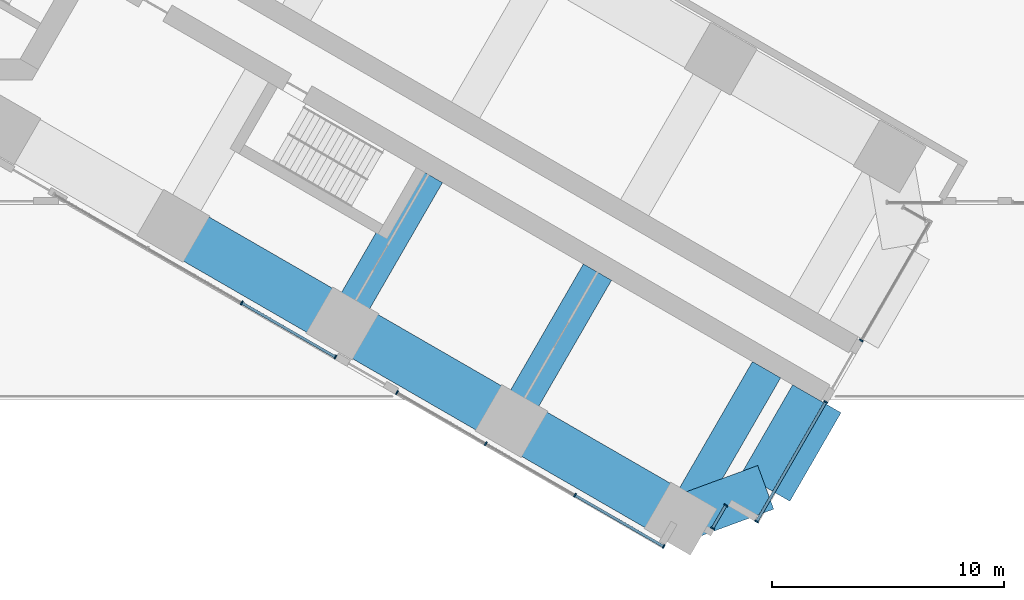
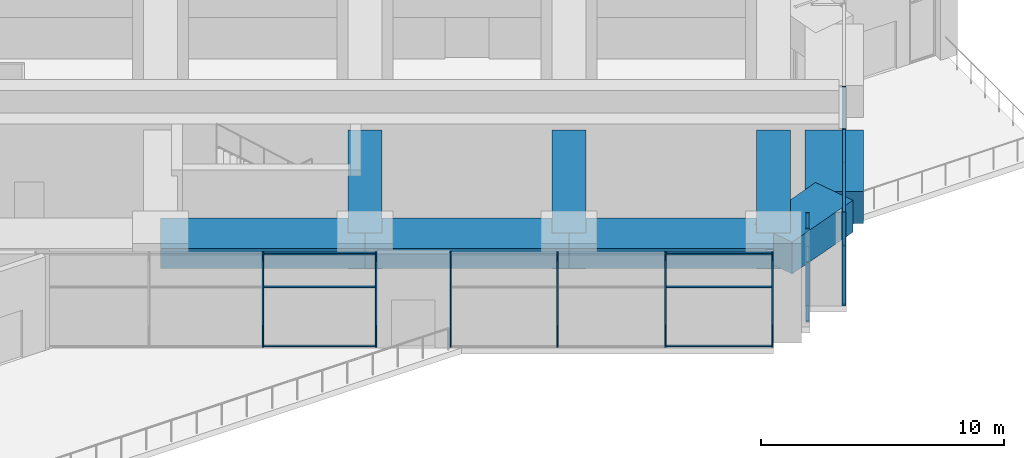
# One storey, part 11 of 34: 23 members, 8 beams, 5 elements without a shape of their own.
"""IFC4 building model written with IfcOpenShell, lengths in metres."""

from ifc_helpers import new_model, si_unit, direction, frame, origin, origin_2d, place, context, subcontext, project, spatial, rectangle, extrude, material, material_profile, profile_set, type_object, element, aggregate, save


model = new_model("IFC4")

# Units and contexts
model_context = context("Model", 3, precision=1e-05, world=origin(), true_north=direction((0.0, 1.0)))
body_context = subcontext(model_context, "Body", "Model", "MODEL_VIEW")
ifc_project = project(units=[si_unit("LENGTHUNIT", "METRE"), si_unit("AREAUNIT", "SQUARE_METRE"), si_unit("VOLUMEUNIT", "CUBIC_METRE"), si_unit("PLANEANGLEUNIT", "RADIAN"), si_unit("MASSUNIT", "GRAM", prefix="KILO")], contexts=[model_context])

# Site, building, storey
site_placement = place(None, origin())
site = spatial("IfcSite", under=ifc_project, at=site_placement, CompositionType="ELEMENT")
building_placement = place(site_placement, origin())
building = spatial("IfcBuilding", under=site, at=building_placement, Name="Impinga Residences", CompositionType="ELEMENT")
storey_placement = place(building_placement, frame((0.0, 0.0, 16.0)))
storey = spatial("IfcBuildingStorey", under=building, at=storey_placement, Name="L03", CompositionType="ELEMENT", Elevation=16.0)

# Beams
ifc_material_1 = material(Name="Concrete C60/75", Category="concrete")
ifc_material_profile_1 = material_profile(ifc_material_1, rectangle(XDim=2.0, YDim=1.60009765625, at=origin_2d()), Name="RC 2000x1600")
ifc_profile_set_1 = profile_set([ifc_material_profile_1], Name="Concrete C60/75")
beam_type_1 = type_object("IfcBeamType", Name="CB2 2000x1600 wing end cantilever beam", PredefinedType="BEAM", material=ifc_profile_set_1)
beam_1_placement = place(storey_placement, frame((34.49853515625, -30.31005859375, 3.89990234375), z_axis=(0.938520178725, 0.345224382289, 0.0), x_axis=(-0.345224382289, 0.938520178725, 0.0)))
element("IfcBeam", 1, at=beam_1_placement, inside=storey, type_object=beam_type_1, Name="Beam CB2 EE E5-EX level L04", PredefinedType="BEAM", context=body_context, shape_type="SweptSolid", body=[
    extrude(rectangle(XDim=2.0, YDim=1.60009765625, at=origin_2d()), origin(), (0.0, 0.0, 1.0), 3.905029296875),
])
ifc_material_profile_2 = material_profile(ifc_material_1, rectangle(XDim=1.39990234375, YDim=1.800048828125, at=origin_2d()), Name="RC 1400x1800")
ifc_profile_set_2 = profile_set([ifc_material_profile_2], Name="Concrete C60/75")
beam_type_2 = type_object("IfcBeamType", Name="CG4 1400x1800 cross girder on a wing bay line under the podium floors", PredefinedType="BEAM", material=ifc_profile_set_2)
beam_2_placement = place(storey_placement, frame((23.649169921875, -15.50146484375, 3.800048828125), z_axis=(-0.500003285667, -0.866023506795, 0.0), x_axis=(0.866023506795, -0.500003285667, 0.0)))
element("IfcBeam", 2, at=beam_2_placement, inside=storey, type_object=beam_type_2, Name="Beam CG4 E3 EC/EF level L04", PredefinedType="BEAM", context=body_context, shape_type="SweptSolid", body=[
    extrude(rectangle(XDim=1.39990234375, YDim=1.800048828125, at=origin_2d()), origin(), (0.0, 0.0, 1.0), 7.39990234375),
])
for number, where, z_axis, x_axis, name in (
    (3, (30.923828125, -19.701416015625, 3.800048828125), (-0.499988999718, -0.866031754707, 0.0), (0.866031754707, -0.499988999718, 0.0), "Beam CG4 E4 EC/EF level L04"),
    (4, (38.198486328125, -23.9013671875, 3.800048828125), (-0.499988999718, -0.866031754707, 0.0), (0.866031754707, -0.499988999718, 0.0), "Beam CG4 E5 EC/EF level L04"),
):
    element("IfcBeam", number, at=place(storey_placement, frame(where, z_axis=z_axis, x_axis=x_axis)), inside=storey, type_object=beam_type_2, Name=name, PredefinedType="BEAM", context=body_context, shape_type="SweptSolid", body=[
        extrude(rectangle(XDim=1.39990234375, YDim=1.800048828125, at=origin_2d()), origin(), (0.0, 0.0, 1.0), 7.400146484375),
    ])

# Curtain wall, member
ifc_material_2 = material(Name="Aluminium stick curtain wall", Category="aluminium")
curtain_wall_type = type_object("IfcCurtainWallType", Name="CW1 podium amenity curtain wall", PredefinedType="USERDEFINED", material=ifc_material_2)
curtain_wall_1_placement = place(storey_placement, origin())
curtain_wall_1 = element("IfcCurtainWall", 5, at=curtain_wall_1_placement, inside=storey, type_object=curtain_wall_type, Name="Curtain wall CW1 L03", ObjectType="STICK CURTAIN WALL", PredefinedType="USERDEFINED")
ifc_material_3 = material(Name="Aluminium mullion", Category="aluminium")
ifc_material_profile_3 = material_profile(ifc_material_3, rectangle(XDim=0.06005859375, YDim=0.179931640625, at=origin_2d()), Name="60x180 mullion")
ifc_profile_set_3 = profile_set([ifc_material_profile_3], Name="Aluminium mullion")
member_type_1 = type_object("IfcMemberType", Name="CW1-M mullion 60x180", PredefinedType="MULLION", material=ifc_profile_set_3)
member_1_placement = place(storey_placement, frame((42.27490234375, -22.640869140625, 0.0), z_axis=(0.0, 0.0, 1.0), x_axis=(-0.500000030502, -0.866025386174, 0.0)))
member_1 = element("IfcMember", 6, at=member_1_placement, type_object=member_type_1, Name="CW1 mullion 2", PredefinedType="MULLION", context=body_context, shape_type="SweptSolid", body=[
    extrude(rectangle(XDim=0.06005859375, YDim=0.179931640625, at=origin_2d()), origin(), (0.0, 0.0, 1.0), 4.699951171875),
])
aggregate(curtain_wall_1, [member_1])

# Curtain wall, members
curtain_wall_2_placement = place(storey_placement, origin())
curtain_wall_2 = element("IfcCurtainWall", 7, at=curtain_wall_2_placement, inside=storey, type_object=curtain_wall_type, Name="Curtain wall CW1 L03", ObjectType="STICK CURTAIN WALL", PredefinedType="USERDEFINED")
member_2_placement = place(storey_placement, frame((40.744873046875, -25.290771484375, 0.0), z_axis=(0.0, 0.0, 1.0), x_axis=(-0.500000030502, -0.866025386174, 0.0)))
member_2 = element("IfcMember", 8, at=member_2_placement, type_object=member_type_1, Name="CW1 mullion 1", PredefinedType="MULLION", context=body_context, shape_type="SweptSolid", body=[
    extrude(rectangle(XDim=0.06005859375, YDim=0.179931640625, at=origin_2d()), origin(), (0.0, 0.0, 1.0), 4.699951171875),
])
member_3_placement = place(storey_placement, frame((37.77490234375, -30.43505859375, 0.0), z_axis=(0.0, 0.0, 1.0), x_axis=(-0.500000030502, -0.866025386174, 0.0)))
member_3 = element("IfcMember", 9, at=member_3_placement, type_object=member_type_1, Name="CW1 mullion 2", PredefinedType="MULLION", context=body_context, shape_type="SweptSolid", body=[
    extrude(rectangle(XDim=0.06005859375, YDim=0.179931640625, at=origin_2d()), origin(), (0.0, 0.0, 1.0), 4.699951171875),
])

curtain_wall_3_placement = place(storey_placement, origin())
curtain_wall_3 = element("IfcCurtainWall", 10, at=curtain_wall_3_placement, inside=storey, type_object=curtain_wall_type, Name="Curtain wall CW1 L03", ObjectType="STICK CURTAIN WALL", PredefinedType="USERDEFINED")
member_4_placement = place(storey_placement, frame((36.44580078125, -29.737060546875, 0.0), z_axis=(0.0, 0.0, 1.0), x_axis=(-0.499999813995, -0.866025511175, 0.0)))
member_4 = element("IfcMember", 11, at=member_4_placement, type_object=member_type_1, Name="CW1 mullion 1", PredefinedType="MULLION", context=body_context, shape_type="SweptSolid", body=[
    extrude(rectangle(XDim=0.06005859375, YDim=0.179931640625, at=origin_2d()), origin(), (0.0, 0.0, 1.0), 4.699951171875),
])
member_5_placement = place(storey_placement, frame((35.8759765625, -30.72412109375, 0.0), z_axis=(0.0, 0.0, 1.0), x_axis=(-0.499999813995, -0.866025511175, 0.0)))
member_5 = element("IfcMember", 12, at=member_5_placement, type_object=member_type_1, Name="CW1 mullion 2", PredefinedType="MULLION", context=body_context, shape_type="SweptSolid", body=[
    extrude(rectangle(XDim=0.06005859375, YDim=0.179931640625, at=origin_2d()), origin(), (0.0, 0.0, 1.0), 4.699951171875),
])

curtain_wall_4_placement = place(storey_placement, origin())
curtain_wall_4 = element("IfcCurtainWall", 13, at=curtain_wall_4_placement, inside=storey, type_object=curtain_wall_type, Name="Curtain wall CW1 L03", ObjectType="STICK CURTAIN WALL", PredefinedType="USERDEFINED")
member_6_placement = place(storey_placement, frame((33.7724609375, -31.50732421875, 0.0), z_axis=(0.0, 0.0, 1.0), x_axis=(-0.866025412354, 0.499999985157, 0.0)))
member_6 = element("IfcMember", 14, at=member_6_placement, type_object=member_type_1, Name="CW1 mullion 1", PredefinedType="MULLION", context=body_context, shape_type="SweptSolid", body=[
    extrude(rectangle(XDim=0.06005859375, YDim=0.179931640625, at=origin_2d()), origin(), (0.0, 0.0, 1.0), 4.699951171875),
])
member_7_placement = place(storey_placement, frame((29.95654296875, -29.30419921875, 0.0), z_axis=(0.0, 0.0, 1.0), x_axis=(-0.866025412354, 0.499999985157, 0.0)))
member_7 = element("IfcMember", 15, at=member_7_placement, type_object=member_type_1, Name="CW1 mullion 2", PredefinedType="MULLION", context=body_context, shape_type="SweptSolid", body=[
    extrude(rectangle(XDim=0.06005859375, YDim=0.179931640625, at=origin_2d()), origin(), (0.0, 0.0, 1.0), 4.699951171875),
])
member_8_placement = place(storey_placement, frame((26.114501953125, -27.086181640625, 0.0), z_axis=(0.0, 0.0, 1.0), x_axis=(-0.866025412354, 0.499999985157, 0.0)))
member_8 = element("IfcMember", 16, at=member_8_placement, type_object=member_type_1, Name="CW1 mullion 3", PredefinedType="MULLION", context=body_context, shape_type="SweptSolid", body=[
    extrude(rectangle(XDim=0.06005859375, YDim=0.179931640625, at=origin_2d()), origin(), (0.0, 0.0, 1.0), 4.699951171875),
])
member_9_placement = place(storey_placement, frame((22.298583984375, -24.8828125, 0.0), z_axis=(0.0, 0.0, 1.0), x_axis=(-0.866025412354, 0.499999985157, 0.0)))
member_9 = element("IfcMember", 17, at=member_9_placement, type_object=member_type_1, Name="CW1 mullion 4", PredefinedType="MULLION", context=body_context, shape_type="SweptSolid", body=[
    extrude(rectangle(XDim=0.06005859375, YDim=0.179931640625, at=origin_2d()), origin(), (0.0, 0.0, 1.0), 4.699951171875),
])

curtain_wall_5_placement = place(storey_placement, origin())
curtain_wall_5 = element("IfcCurtainWall", 18, at=curtain_wall_5_placement, inside=storey, type_object=curtain_wall_type, Name="Curtain wall CW1 L03", ObjectType="STICK CURTAIN WALL", PredefinedType="USERDEFINED")
member_10_placement = place(storey_placement, frame((19.6484375, -23.35302734375, 0.0), z_axis=(0.0, 0.0, 1.0), x_axis=(-0.866025380702, 0.500000039979, 0.0)))
member_10 = element("IfcMember", 19, at=member_10_placement, type_object=member_type_1, Name="CW1 mullion 1", PredefinedType="MULLION", context=body_context, shape_type="SweptSolid", body=[
    extrude(rectangle(XDim=0.06005859375, YDim=0.179931640625, at=origin_2d()), origin(), (0.0, 0.0, 1.0), 4.699951171875),
])
member_11_placement = place(storey_placement, frame((15.616943359375, -21.025390625, 0.0), z_axis=(0.0, 0.0, 1.0), x_axis=(-0.866025380702, 0.500000039979, 0.0)))
member_11 = element("IfcMember", 20, at=member_11_placement, type_object=member_type_1, Name="CW1 mullion 2", PredefinedType="MULLION", context=body_context, shape_type="SweptSolid", body=[
    extrude(rectangle(XDim=0.06005859375, YDim=0.179931640625, at=origin_2d()), origin(), (0.0, 0.0, 1.0), 4.699951171875),
])

# Member
ifc_material_4 = material(Name="Aluminium transom", Category="aluminium")
ifc_material_profile_4 = material_profile(ifc_material_4, rectangle(XDim=0.06005859375, YDim=0.1201171875, at=origin_2d()), Name="60x120 transom")
ifc_profile_set_4 = profile_set([ifc_material_profile_4], Name="Aluminium transom")
member_type_2 = type_object("IfcMemberType", Name="CW1-T transom 60x120", PredefinedType="USERDEFINED", material=ifc_profile_set_4)
member_12_placement = place(storey_placement, frame((40.72998046875, -25.316650390625, 0.030029296875), z_axis=(-0.499988418424, -0.866032090307, 0.0), x_axis=(0.0, 0.0, 1.0)))
member_12 = element("IfcMember", 21, at=member_12_placement, type_object=member_type_2, Name="CW1 transom 1.1", ObjectType="TRANSOM", PredefinedType="USERDEFINED", context=body_context, shape_type="SweptSolid", body=[
    extrude(rectangle(XDim=0.06005859375, YDim=0.1201171875, at=origin_2d()), origin(), (0.0, 0.0, 1.0), 5.880126953125),
])

member_13_placement = place(storey_placement, frame((40.72998046875, -25.316650390625, 3.0), z_axis=(-0.499988418424, -0.866032090307, 0.0), x_axis=(0.0, 0.0, 1.0)))
member_13 = element("IfcMember", 22, at=member_13_placement, type_object=member_type_2, Name="CW1 transom 1.2", ObjectType="TRANSOM", PredefinedType="USERDEFINED", context=body_context, shape_type="SweptSolid", body=[
    extrude(rectangle(XDim=0.06005859375, YDim=0.1201171875, at=origin_2d()), origin(), (0.0, 0.0, 1.0), 5.880126953125),
])

member_14_placement = place(storey_placement, frame((40.72998046875, -25.316650390625, 4.669921875), z_axis=(-0.499988418424, -0.866032090307, 0.0), x_axis=(0.0, 0.0, 1.0)))
member_14 = element("IfcMember", 23, at=member_14_placement, type_object=member_type_2, Name="CW1 transom 1.3", ObjectType="TRANSOM", PredefinedType="USERDEFINED", context=body_context, shape_type="SweptSolid", body=[
    extrude(rectangle(XDim=0.06005859375, YDim=0.1201171875, at=origin_2d()), origin(), (0.0, 0.0, 1.0), 5.880126953125),
])

aggregate(curtain_wall_2, [member_2, member_3, member_12, member_13, member_14])

member_15_placement = place(storey_placement, frame((36.430908203125, -29.762939453125, 0.030029296875), z_axis=(-0.500029011134, -0.866008653551, 0.0), x_axis=(0.0, 0.0, 1.0)))
member_15 = element("IfcMember", 24, at=member_15_placement, type_object=member_type_2, Name="CW1 transom 1.1", ObjectType="TRANSOM", PredefinedType="USERDEFINED", context=body_context, shape_type="SweptSolid", body=[
    extrude(rectangle(XDim=0.06005859375, YDim=0.1201171875, at=origin_2d()), origin(), (0.0, 0.0, 1.0), 1.080078125),
])

member_16_placement = place(storey_placement, frame((36.430908203125, -29.762939453125, 3.0), z_axis=(-0.500029011134, -0.866008653551, 0.0), x_axis=(0.0, 0.0, 1.0)))
member_16 = element("IfcMember", 25, at=member_16_placement, type_object=member_type_2, Name="CW1 transom 1.2", ObjectType="TRANSOM", PredefinedType="USERDEFINED", context=body_context, shape_type="SweptSolid", body=[
    extrude(rectangle(XDim=0.06005859375, YDim=0.1201171875, at=origin_2d()), origin(), (0.0, 0.0, 1.0), 1.080078125),
])

member_17_placement = place(storey_placement, frame((36.430908203125, -29.762939453125, 4.669921875), z_axis=(-0.500029011134, -0.866008653551, 0.0), x_axis=(0.0, 0.0, 1.0)))
member_17 = element("IfcMember", 26, at=member_17_placement, type_object=member_type_2, Name="CW1 transom 1.3", ObjectType="TRANSOM", PredefinedType="USERDEFINED", context=body_context, shape_type="SweptSolid", body=[
    extrude(rectangle(XDim=0.06005859375, YDim=0.1201171875, at=origin_2d()), origin(), (0.0, 0.0, 1.0), 1.080078125),
])

aggregate(curtain_wall_3, [member_4, member_5, member_15, member_16, member_17])

member_18_placement = place(storey_placement, frame((33.74658203125, -31.492431640625, 0.030029296875), z_axis=(-0.866039667442, 0.499975293806, 0.0), x_axis=(0.0, 0.0, 1.0)))
member_18 = element("IfcMember", 27, at=member_18_placement, type_object=member_type_2, Name="CW1 transom 1.1", ObjectType="TRANSOM", PredefinedType="USERDEFINED", context=body_context, shape_type="SweptSolid", body=[
    extrude(rectangle(XDim=0.06005859375, YDim=0.1201171875, at=origin_2d()), origin(), (0.0, 0.0, 1.0), 4.346435546875),
])

member_19_placement = place(storey_placement, frame((33.74658203125, -31.492431640625, 3.0), z_axis=(-0.866039667442, 0.499975293806, 0.0), x_axis=(0.0, 0.0, 1.0)))
member_19 = element("IfcMember", 28, at=member_19_placement, type_object=member_type_2, Name="CW1 transom 1.2", ObjectType="TRANSOM", PredefinedType="USERDEFINED", context=body_context, shape_type="SweptSolid", body=[
    extrude(rectangle(XDim=0.06005859375, YDim=0.1201171875, at=origin_2d()), origin(), (0.0, 0.0, 1.0), 4.346435546875),
])

member_20_placement = place(storey_placement, frame((33.74658203125, -31.492431640625, 4.669921875), z_axis=(-0.866039667442, 0.499975293806, 0.0), x_axis=(0.0, 0.0, 1.0)))
member_20 = element("IfcMember", 29, at=member_20_placement, type_object=member_type_2, Name="CW1 transom 1.3", ObjectType="TRANSOM", PredefinedType="USERDEFINED", context=body_context, shape_type="SweptSolid", body=[
    extrude(rectangle(XDim=0.06005859375, YDim=0.1201171875, at=origin_2d()), origin(), (0.0, 0.0, 1.0), 4.346435546875),
])

aggregate(curtain_wall_4, [member_6, member_7, member_8, member_9, member_18, member_19, member_20])

member_21_placement = place(storey_placement, frame((19.62255859375, -23.337890625, 0.030029296875), z_axis=(-0.866034300541, 0.499984590049, 0.0), x_axis=(0.0, 0.0, 1.0)))
member_21 = element("IfcMember", 30, at=member_21_placement, type_object=member_type_2, Name="CW1 transom 1.1", ObjectType="TRANSOM", PredefinedType="USERDEFINED", context=body_context, shape_type="SweptSolid", body=[
    extrude(rectangle(XDim=0.06005859375, YDim=0.1201171875, at=origin_2d()), origin(), (0.0, 0.0, 1.0), 4.595458984375),
])

member_22_placement = place(storey_placement, frame((19.62255859375, -23.337890625, 3.0), z_axis=(-0.866034300541, 0.499984590049, 0.0), x_axis=(0.0, 0.0, 1.0)))
member_22 = element("IfcMember", 31, at=member_22_placement, type_object=member_type_2, Name="CW1 transom 1.2", ObjectType="TRANSOM", PredefinedType="USERDEFINED", context=body_context, shape_type="SweptSolid", body=[
    extrude(rectangle(XDim=0.06005859375, YDim=0.1201171875, at=origin_2d()), origin(), (0.0, 0.0, 1.0), 4.595458984375),
])

member_23_placement = place(storey_placement, frame((19.62255859375, -23.337890625, 4.669921875), z_axis=(-0.866034300541, 0.499984590049, 0.0), x_axis=(0.0, 0.0, 1.0)))
member_23 = element("IfcMember", 32, at=member_23_placement, type_object=member_type_2, Name="CW1 transom 1.3", ObjectType="TRANSOM", PredefinedType="USERDEFINED", context=body_context, shape_type="SweptSolid", body=[
    extrude(rectangle(XDim=0.06005859375, YDim=0.1201171875, at=origin_2d()), origin(), (0.0, 0.0, 1.0), 4.595458984375),
])

aggregate(curtain_wall_5, [member_10, member_11, member_21, member_22, member_23])

# Beams
ifc_material_profile_5 = material_profile(ifc_material_1, rectangle(XDim=2.39990234375, YDim=1.60009765625, at=origin_2d()), Name="RC 2400x1600")
ifc_profile_set_5 = profile_set([ifc_material_profile_5], Name="Concrete C60/75")
beam_type_3 = type_object("IfcBeamType", Name="EB2 2400x1600 wing end beam", PredefinedType="BEAM", material=ifc_profile_set_5)
beam_3_placement = place(storey_placement, frame((40.363525390625, -25.1513671875, 3.89990234375), z_axis=(-0.499988222896, -0.866032203192, 0.0), x_axis=(0.866032203192, -0.499988222896, 0.0)))
element("IfcBeam", 33, at=beam_3_placement, inside=storey, type_object=beam_type_3, Name="Beam EB2 EX4 level L04", PredefinedType="BEAM", context=body_context, shape_type="SweptSolid", body=[
    extrude(rectangle(XDim=2.39990234375, YDim=1.60009765625, at=origin_2d()), origin(), (0.0, 0.0, 1.0), 4.39990234375),
])
ifc_material_profile_6 = material_profile(ifc_material_1, rectangle(XDim=2.199951171875, YDim=1.0, at=origin_2d()), Name="RC 2200x1000")
ifc_profile_set_6 = profile_set([ifc_material_profile_6], Name="Concrete C60/75")
beam_type_4 = type_object("IfcBeamType", Name="PB3 2200x1000 podium band beam", PredefinedType="BEAM", material=ifc_profile_set_6)
beam_4_placement = place(storey_placement, frame((12.674560546875, -17.7099609375, 4.199951171875), z_axis=(0.86602925447, -0.499993330357, 0.0), x_axis=(0.499993330357, 0.86602925447, 0.0)))
element("IfcBeam", 34, at=beam_4_placement, inside=storey, type_object=beam_type_4, Name="Beam PB3 EF E2-E3 level L04", PredefinedType="BEAM", context=body_context, shape_type="SweptSolid", body=[
    extrude(rectangle(XDim=2.199951171875, YDim=1.0, at=origin_2d()), origin(), (0.0, 0.0, 1.0), 8.39990234375),
])
beam_5_placement = place(storey_placement, frame((19.94921875, -21.909912109375, 4.199951171875), z_axis=(0.866016669275, -0.500015128309, 0.0), x_axis=(0.500015128309, 0.866016669275, 0.0)))
element("IfcBeam", 35, at=beam_5_placement, inside=storey, type_object=beam_type_4, Name="Beam PB3 EF E3-E4 level L04", PredefinedType="BEAM", context=body_context, shape_type="SweptSolid", body=[
    extrude(rectangle(XDim=2.199951171875, YDim=1.0, at=origin_2d()), origin(), (0.0, 0.0, 1.0), 8.400146484375),
])
beam_6_placement = place(storey_placement, frame((27.223876953125, -26.110107421875, 4.199951171875), z_axis=(0.86602925447, -0.499993330357, 0.0), x_axis=(0.499993330357, 0.86602925447, 0.0)))
element("IfcBeam", 36, at=beam_6_placement, inside=storey, type_object=beam_type_4, Name="Beam PB3 EF E4-E5 level L04", PredefinedType="BEAM", context=body_context, shape_type="SweptSolid", body=[
    extrude(rectangle(XDim=2.199951171875, YDim=1.0, at=origin_2d()), origin(), (0.0, 0.0, 1.0), 8.39990234375),
])

save(model, "model.ifc")
